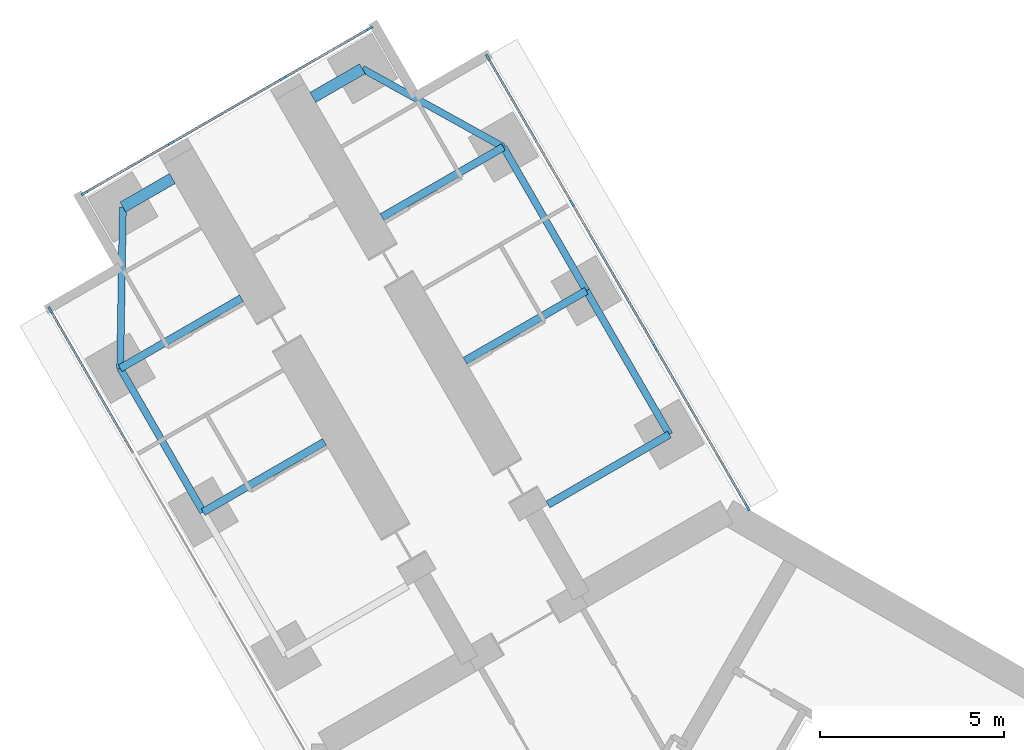
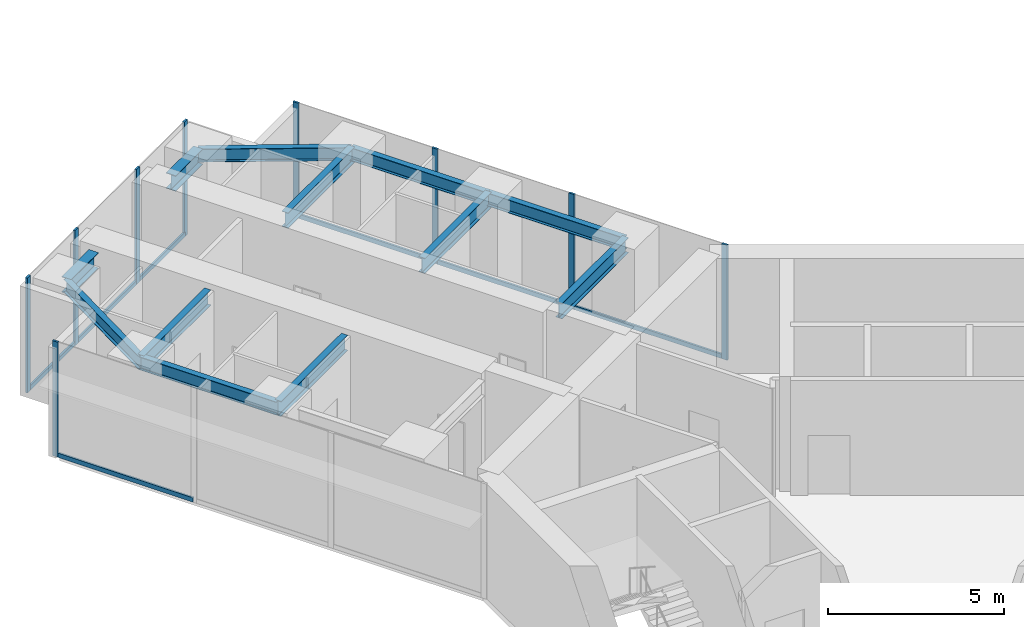
# One storey, part 7 of 25: 16 members, 12 beams, 3 elements without a shape of their own.
"""IFC4 building model written with IfcOpenShell, lengths in metres."""

from ifc_helpers import new_model, si_unit, direction, frame, origin, origin_2d, place, context, subcontext, project, spatial, rectangle, i_section, extrude, material, material_profile, profile_set, type_object, element, aggregate, save


model = new_model("IFC4")

# Units and contexts
model_context = context("Model", 3, precision=1e-05, world=origin(), true_north=direction((0.0, 1.0)))
body_context = subcontext(model_context, "Body", "Model", "MODEL_VIEW")
ifc_project = project(units=[si_unit("LENGTHUNIT", "METRE"), si_unit("AREAUNIT", "SQUARE_METRE"), si_unit("VOLUMEUNIT", "CUBIC_METRE"), si_unit("PLANEANGLEUNIT", "RADIAN"), si_unit("MASSUNIT", "GRAM", prefix="KILO")], contexts=[model_context])

# Site, building, storey
site_placement = place(None, origin())
site = spatial("IfcSite", under=ifc_project, at=site_placement, CompositionType="ELEMENT")
building_placement = place(site_placement, origin())
building = spatial("IfcBuilding", under=site, at=building_placement, Name="Upepo Twin Towers", CompositionType="ELEMENT")
storey_placement = place(building_placement, frame((0.0, 0.0, 72.5)))
storey = spatial("IfcBuildingStorey", under=building, at=storey_placement, Name="L17", CompositionType="ELEMENT", Elevation=72.5)

# Beams
ifc_material_1 = material(Name="Steel S355", Category="steel")
ifc_material_profile_1 = material_profile(ifc_material_1, i_section(OverallWidth=0.1904296875, OverallDepth=0.45703125, WebThickness=0.009033203125, FlangeThickness=0.014404296875, FilletRadius=0.01025390625, at=origin_2d()), Name="UB 457x191x74")
ifc_profile_set_1 = profile_set([ifc_material_profile_1], Name="Steel S355")
beam_type_1 = type_object("IfcBeamType", Name="Beam UB 457x191x74", PredefinedType="BEAM", material=ifc_profile_set_1)
beam_1_placement = place(storey_placement, frame((-14.196044921875, 12.58837890625, 3.571533203125), z_axis=(-0.499990139034, 0.866031096941, 0.0), x_axis=(-0.866031096941, -0.499990139034, 0.0)))
element("IfcBeam", 1, at=beam_1_placement, inside=storey, type_object=beam_type_1, Name="T1 edge beam BL 18.0-22.5", PredefinedType="BEAM", context=body_context, shape_type="SweptSolid", body=[
    extrude(i_section(OverallWidth=0.1904296875, OverallDepth=0.45703125, WebThickness=0.009033203125, FlangeThickness=0.014404296875, FilletRadius=0.01025390625, at=origin_2d()), origin(), (0.0, 0.0, 1.0), 4.5),
])
beam_2_placement = place(storey_placement, frame((-16.446044921875, 16.485595703125, 3.571533203125), z_axis=(0.016803880528, 0.999858804832, 0.0), x_axis=(-0.999858804832, 0.016803880528, 0.0)))
element("IfcBeam", 2, at=beam_2_placement, inside=storey, type_object=beam_type_1, Name="T1 nose edge beam BL", PredefinedType="BEAM", context=body_context, shape_type="SweptSolid", body=[
    extrude(i_section(OverallWidth=0.1904296875, OverallDepth=0.45703125, WebThickness=0.009033203125, FlangeThickness=0.014404296875, FilletRadius=0.01025390625, at=origin_2d()), origin(), (0.0, 0.0, 1.0), 4.373291015625),
])
beam_3_placement = place(storey_placement, frame((-1.553955078125, 14.69140625, 3.571533203125), z_axis=(-0.500013631625, 0.866017533419, 0.0), x_axis=(-0.866017533419, -0.500013631625, 0.0)))
element("IfcBeam", 3, at=beam_3_placement, inside=storey, type_object=beam_type_1, Name="T1 edge beam BR 13.5-18.0", PredefinedType="BEAM", context=body_context, shape_type="SweptSolid", body=[
    extrude(i_section(OverallWidth=0.1904296875, OverallDepth=0.45703125, WebThickness=0.009033203125, FlangeThickness=0.014404296875, FilletRadius=0.01025390625, at=origin_2d()), origin(), (0.0, 0.0, 1.0), 4.499755859375),
])
beam_4_placement = place(storey_placement, frame((-3.803955078125, 18.58837890625, 3.571533203125), z_axis=(-0.499990139034, 0.866031096941, 0.0), x_axis=(-0.866031096941, -0.499990139034, 0.0)))
element("IfcBeam", 4, at=beam_4_placement, inside=storey, type_object=beam_type_1, Name="T1 edge beam BR 18.0-22.5", PredefinedType="BEAM", context=body_context, shape_type="SweptSolid", body=[
    extrude(i_section(OverallWidth=0.1904296875, OverallDepth=0.45703125, WebThickness=0.009033203125, FlangeThickness=0.014404296875, FilletRadius=0.01025390625, at=origin_2d()), origin(), (0.0, 0.0, 1.0), 4.5),
])
beam_5_placement = place(storey_placement, frame((-6.053955078125, 22.485595703125, 3.571533203125), z_axis=(-0.874312600038, 0.485363242752, 0.0), x_axis=(-0.485363242752, -0.874312600038, 0.0)))
element("IfcBeam", 5, at=beam_5_placement, inside=storey, type_object=beam_type_1, Name="T1 nose edge beam BR", PredefinedType="BEAM", context=body_context, shape_type="SweptSolid", body=[
    extrude(i_section(OverallWidth=0.1904296875, OverallDepth=0.45703125, WebThickness=0.009033203125, FlangeThickness=0.014404296875, FilletRadius=0.01025390625, at=origin_2d()), origin(), (0.0, 0.0, 1.0), 4.373046875),
])
ifc_material_2 = material(Name="Steel S355", Category="steel")
ifc_material_profile_2 = material_profile(ifc_material_2, i_section(OverallWidth=0.209228515625, OverallDepth=0.533203125, WebThickness=0.010009765625, FlangeThickness=0.015625, FilletRadius=0.0126953125, at=origin_2d()), Name="UB 533x210x92")
ifc_profile_set_2 = profile_set([ifc_material_profile_2], Name="Steel S355")
beam_type_2 = type_object("IfcBeamType", Name="Beam UB 533x210x92", PredefinedType="BEAM", material=ifc_profile_set_2)
beam_6_placement = place(storey_placement, frame((-14.196044921875, 12.58837890625, 3.533447265625), z_axis=(0.866000483506, 0.500043160704, 0.0), x_axis=(-0.500043160704, 0.866000483506, 0.0)))
element("IfcBeam", 6, at=beam_6_placement, inside=storey, type_object=beam_type_2, Name="T1 girder BL at 18.0", PredefinedType="BEAM", context=body_context, shape_type="SweptSolid", body=[
    extrude(i_section(OverallWidth=0.209228515625, OverallDepth=0.533203125, WebThickness=0.010009765625, FlangeThickness=0.015625, FilletRadius=0.0126953125, at=origin_2d()), origin(), (0.0, 0.0, 1.0), 3.800048828125),
])
beam_7_placement = place(storey_placement, frame((-16.446044921875, 16.485595703125, 3.533447265625), z_axis=(0.866028304915, 0.499994975061, 0.0), x_axis=(-0.499994975061, 0.866028304915, 0.0)))
element("IfcBeam", 7, at=beam_7_placement, inside=storey, type_object=beam_type_2, Name="T1 girder BL at 22.5", PredefinedType="BEAM", context=body_context, shape_type="SweptSolid", body=[
    extrude(i_section(OverallWidth=0.209228515625, OverallDepth=0.533203125, WebThickness=0.010009765625, FlangeThickness=0.015625, FilletRadius=0.0126953125, at=origin_2d()), origin(), (0.0, 0.0, 1.0), 3.7998046875),
])
beam_8_placement = place(storey_placement, frame((-1.553955078125, 14.69140625, 3.533447265625), z_axis=(-0.866000483506, -0.500043160704, 0.0), x_axis=(0.500043160704, -0.866000483506, 0.0)))
element("IfcBeam", 8, at=beam_8_placement, inside=storey, type_object=beam_type_2, Name="T1 girder BR at 13.5", PredefinedType="BEAM", context=body_context, shape_type="SweptSolid", body=[
    extrude(i_section(OverallWidth=0.209228515625, OverallDepth=0.533203125, WebThickness=0.010009765625, FlangeThickness=0.015625, FilletRadius=0.0126953125, at=origin_2d()), origin(), (0.0, 0.0, 1.0), 3.800048828125),
])
for number, where, z_axis, x_axis, name in (
    (9, (-3.803955078125, 18.58837890625, 3.533447265625), (-0.866028304915, -0.499994975061, 0.0), (0.499994975061, -0.866028304915, 0.0), "T1 girder BR at 18.0"),
    (10, (-6.053955078125, 22.485595703125, 3.533447265625), (-0.866028304915, -0.499994975061, 0.0), (0.499994975061, -0.866028304915, 0.0), "T1 girder BR at 22.5"),
):
    element("IfcBeam", number, at=place(storey_placement, frame(where, z_axis=z_axis, x_axis=x_axis)), inside=storey, type_object=beam_type_2, Name=name, PredefinedType="BEAM", context=body_context, shape_type="SweptSolid", body=[
        extrude(i_section(OverallWidth=0.209228515625, OverallDepth=0.533203125, WebThickness=0.010009765625, FlangeThickness=0.015625, FilletRadius=0.0126953125, at=origin_2d()), origin(), (0.0, 0.0, 1.0), 3.7998046875),
    ])
ifc_material_3 = material(Name="Steel S355", Category="steel")
ifc_material_profile_3 = material_profile(ifc_material_3, i_section(OverallWidth=0.31201171875, OverallDepth=0.54345703125, WebThickness=0.0126953125, FlangeThickness=0.020263671875, FilletRadius=0.0126953125, at=origin_2d()), Name="UB 533x312x150")
ifc_profile_set_3 = profile_set([ifc_material_profile_3], Name="Steel S355")
beam_type_3 = type_object("IfcBeamType", Name="Beam UB 533x312x150", PredefinedType="BEAM", material=ifc_profile_set_3)
for number, where, z_axis, x_axis, name in (
    (11, (-16.37255859375, 20.858154296875, 3.5283203125), (0.866043940782, 0.499967891604, 0.0), (-0.499967891604, 0.866043940782, 0.0), "T1 nose beam BL"),
    (12, (-9.87744140625, 24.608154296875, 3.5283203125), (-0.866043940782, -0.499967891604, 0.0), (0.499967891604, -0.866043940782, 0.0), "T1 nose beam BR"),
):
    element("IfcBeam", number, at=place(storey_placement, frame(where, z_axis=z_axis, x_axis=x_axis)), inside=storey, type_object=beam_type_3, Name=name, PredefinedType="BEAM", context=body_context, shape_type="SweptSolid", body=[
        extrude(i_section(OverallWidth=0.31201171875, OverallDepth=0.54345703125, WebThickness=0.0126953125, FlangeThickness=0.020263671875, FilletRadius=0.0126953125, at=origin_2d()), origin(), (0.0, 0.0, 1.0), 1.5498046875),
    ])

# Curtain wall, member
ifc_material_4 = material(Name="Aluminium and fritted glass", Category="aluminium")
curtain_wall_type = type_object("IfcCurtainWallType", Name="Tower curtain wall TW1, fritted glass", PredefinedType="NOTDEFINED", material=ifc_material_4)
curtain_wall_1_placement = place(storey_placement, origin())
curtain_wall_1 = element("IfcCurtainWall", 13, at=curtain_wall_1_placement, inside=storey, type_object=curtain_wall_type, Name="T1 L17 wing B flank L curtain wall", PredefinedType="NOTDEFINED")
ifc_material_5 = material(Name="Aluminium mullion", Category="aluminium")
ifc_material_profile_4 = material_profile(ifc_material_5, rectangle(XDim=0.06494140625, YDim=0.179931640625, at=origin_2d()), Name="MULLION 65x180")
ifc_profile_set_4 = profile_set([ifc_material_profile_4], Name="Aluminium mullion")
member_type_1 = type_object("IfcMemberType", Name="Mullion 65x180 TW1", PredefinedType="MULLION", material=ifc_profile_set_4)
member_1_placement = place(storey_placement, frame((-18.341064453125, 18.067626953125, 0.0), z_axis=(0.0, 0.0, 1.0), x_axis=(-0.866025389682, -0.500000024426, 0.0)))
member_1 = element("IfcMember", 14, at=member_1_placement, type_object=member_type_1, Name="T1 L17 wing B flank L curtain wall mullion 4", PredefinedType="MULLION", context=body_context, shape_type="SweptSolid", body=[
    extrude(rectangle(XDim=0.06494140625, YDim=0.179931640625, at=origin_2d()), origin(), (0.0, 0.0, 1.0), 4.0),
])

# Curtain wall, members
curtain_wall_2_placement = place(storey_placement, origin())
curtain_wall_2 = element("IfcCurtainWall", 15, at=curtain_wall_2_placement, inside=storey, type_object=curtain_wall_type, Name="T1 L17 wing B flank R curtain wall", PredefinedType="NOTDEFINED")
member_2_placement = place(storey_placement, frame((-6.4765625, 24.91748046875, 0.0), z_axis=(0.0, 0.0, 1.0), x_axis=(0.866025389682, 0.500000024426, 0.0)))
member_2 = element("IfcMember", 16, at=member_2_placement, type_object=member_type_1, Name="T1 L17 wing B flank R curtain wall mullion 1", PredefinedType="MULLION", context=body_context, shape_type="SweptSolid", body=[
    extrude(rectangle(XDim=0.06494140625, YDim=0.179931640625, at=origin_2d()), origin(), (0.0, 0.0, 1.0), 4.0),
])
member_3_placement = place(storey_placement, frame((-4.192626953125, 20.9619140625, 0.0), z_axis=(0.0, 0.0, 1.0), x_axis=(0.866025389682, 0.500000024426, 0.0)))
member_3 = element("IfcMember", 17, at=member_3_placement, type_object=member_type_1, Name="T1 L17 wing B flank R curtain wall mullion 2", PredefinedType="MULLION", context=body_context, shape_type="SweptSolid", body=[
    extrude(rectangle(XDim=0.06494140625, YDim=0.179931640625, at=origin_2d()), origin(), (0.0, 0.0, 1.0), 4.0),
])
member_4_placement = place(storey_placement, frame((-1.942626953125, 17.06494140625, 0.0), z_axis=(0.0, 0.0, 1.0), x_axis=(0.866025389682, 0.500000024426, 0.0)))
member_4 = element("IfcMember", 18, at=member_4_placement, type_object=member_type_1, Name="T1 L17 wing B flank R curtain wall mullion 3", PredefinedType="MULLION", context=body_context, shape_type="SweptSolid", body=[
    extrude(rectangle(XDim=0.06494140625, YDim=0.179931640625, at=origin_2d()), origin(), (0.0, 0.0, 1.0), 4.0),
])
member_5_placement = place(storey_placement, frame((0.572509765625, 12.70849609375, 0.0), z_axis=(0.0, 0.0, 1.0), x_axis=(0.866025389682, 0.500000024426, 0.0)))
member_5 = element("IfcMember", 19, at=member_5_placement, type_object=member_type_1, Name="T1 L17 wing B flank R curtain wall mullion 4", PredefinedType="MULLION", context=body_context, shape_type="SweptSolid", body=[
    extrude(rectangle(XDim=0.06494140625, YDim=0.179931640625, at=origin_2d()), origin(), (0.0, 0.0, 1.0), 4.0),
])

curtain_wall_3_placement = place(storey_placement, origin())
curtain_wall_3 = element("IfcCurtainWall", 20, at=curtain_wall_3_placement, inside=storey, type_object=curtain_wall_type, Name="T1 L17 wing B nose curtain wall", PredefinedType="NOTDEFINED")
member_6_placement = place(storey_placement, frame((-9.68115234375, 25.703125, 0.0), z_axis=(0.0, 0.0, 1.0), x_axis=(0.500000030502, -0.866025386174, 0.0)))
member_6 = element("IfcMember", 21, at=member_6_placement, type_object=member_type_1, Name="T1 L17 wing B nose curtain wall mullion 1", PredefinedType="MULLION", context=body_context, shape_type="SweptSolid", body=[
    extrude(rectangle(XDim=0.06494140625, YDim=0.179931640625, at=origin_2d()), origin(), (0.0, 0.0, 1.0), 4.0),
])
member_7_placement = place(storey_placement, frame((-12.034423828125, 24.34423828125, 0.0), z_axis=(0.0, 0.0, 1.0), x_axis=(0.500000030502, -0.866025386174, 0.0)))
member_7 = element("IfcMember", 22, at=member_7_placement, type_object=member_type_1, Name="T1 L17 wing B nose curtain wall mullion 2", PredefinedType="MULLION", context=body_context, shape_type="SweptSolid", body=[
    extrude(rectangle(XDim=0.06494140625, YDim=0.179931640625, at=origin_2d()), origin(), (0.0, 0.0, 1.0), 4.0),
])
member_8_placement = place(storey_placement, frame((-15.0654296875, 22.59423828125, 0.0), z_axis=(0.0, 0.0, 1.0), x_axis=(0.500000030502, -0.866025386174, 0.0)))
member_8 = element("IfcMember", 23, at=member_8_placement, type_object=member_type_1, Name="T1 L17 wing B nose curtain wall mullion 3", PredefinedType="MULLION", context=body_context, shape_type="SweptSolid", body=[
    extrude(rectangle(XDim=0.06494140625, YDim=0.179931640625, at=origin_2d()), origin(), (0.0, 0.0, 1.0), 4.0),
])
member_9_placement = place(storey_placement, frame((-17.4189453125, 21.235595703125, 0.0), z_axis=(0.0, 0.0, 1.0), x_axis=(0.500000030502, -0.866025386174, 0.0)))
member_9 = element("IfcMember", 24, at=member_9_placement, type_object=member_type_1, Name="T1 L17 wing B nose curtain wall mullion 4", PredefinedType="MULLION", context=body_context, shape_type="SweptSolid", body=[
    extrude(rectangle(XDim=0.06494140625, YDim=0.179931640625, at=origin_2d()), origin(), (0.0, 0.0, 1.0), 4.0),
])

# Member
ifc_material_6 = material(Name="Aluminium transom", Category="aluminium")
ifc_material_profile_5 = material_profile(ifc_material_6, rectangle(XDim=0.06494140625, YDim=0.14990234375, at=origin_2d()), Name="TRANSOM 65x150")
ifc_profile_set_5 = profile_set([ifc_material_profile_5], Name="Aluminium transom")
member_type_2 = type_object("IfcMemberType", Name="Transom 65x150 TW1", PredefinedType="USERDEFINED", material=ifc_profile_set_5)
member_10_placement = place(storey_placement, frame((-16.073486328125, 14.14013671875, 0.074951171875), z_axis=(-0.499982167615, 0.866035699072, 0.0), x_axis=(-0.866035699072, -0.499982167615, 0.0)))
member_10 = element("IfcMember", 25, at=member_10_placement, type_object=member_type_2, Name="T1 L17 wing B flank L curtain wall transom 3", ObjectType="TRANSOM", PredefinedType="USERDEFINED", context=body_context, shape_type="SweptSolid", body=[
    extrude(rectangle(XDim=0.06494140625, YDim=0.14990234375, at=origin_2d()), origin(), (0.0, 0.0, 1.0), 4.502685546875),
])

aggregate(curtain_wall_1, [member_1, member_10])

member_11_placement = place(storey_placement, frame((-6.460205078125, 24.889404296875, 0.074951171875), z_axis=(0.500005646842, -0.866022143554, 0.0), x_axis=(0.866022143554, 0.500005646842, 0.0)))
member_11 = element("IfcMember", 26, at=member_11_placement, type_object=member_type_2, Name="T1 L17 wing B flank R curtain wall transom 1", ObjectType="TRANSOM", PredefinedType="USERDEFINED", context=body_context, shape_type="SweptSolid", body=[
    extrude(rectangle(XDim=0.06494140625, YDim=0.14990234375, at=origin_2d()), origin(), (0.0, 0.0, 1.0), 4.50244140625),
])

member_12_placement = place(storey_placement, frame((-4.176513671875, 20.933837890625, 0.074951171875), z_axis=(0.500005184116, -0.866022410713, 0.0), x_axis=(0.866022410713, 0.500005184116, 0.0)))
member_12 = element("IfcMember", 27, at=member_12_placement, type_object=member_type_2, Name="T1 L17 wing B flank R curtain wall transom 2", ObjectType="TRANSOM", PredefinedType="USERDEFINED", context=body_context, shape_type="SweptSolid", body=[
    extrude(rectangle(XDim=0.06494140625, YDim=0.14990234375, at=origin_2d()), origin(), (0.0, 0.0, 1.0), 4.43505859375),
])

member_13_placement = place(storey_placement, frame((-1.926513671875, 17.036865234375, 0.074951171875), z_axis=(0.499983492876, -0.866034933967, 0.0), x_axis=(0.866034933967, 0.499983492876, 0.0)))
member_13 = element("IfcMember", 28, at=member_13_placement, type_object=member_type_2, Name="T1 L17 wing B flank R curtain wall transom 3", ObjectType="TRANSOM", PredefinedType="USERDEFINED", context=body_context, shape_type="SweptSolid", body=[
    extrude(rectangle(XDim=0.06494140625, YDim=0.14990234375, at=origin_2d()), origin(), (0.0, 0.0, 1.0), 4.965576171875),
])

aggregate(curtain_wall_2, [member_2, member_3, member_4, member_5, member_11, member_12, member_13])

member_14_placement = place(storey_placement, frame((-9.709228515625, 25.686767578125, 0.074951171875), z_axis=(-0.866036909293, -0.499980071345, 0.0), x_axis=(0.499980071345, -0.866036909293, 0.0)))
member_14 = element("IfcMember", 29, at=member_14_placement, type_object=member_type_2, Name="T1 L17 wing B nose curtain wall transom 1", ObjectType="TRANSOM", PredefinedType="USERDEFINED", context=body_context, shape_type="SweptSolid", body=[
    extrude(rectangle(XDim=0.06494140625, YDim=0.14990234375, at=origin_2d()), origin(), (0.0, 0.0, 1.0), 2.65234375),
])

member_15_placement = place(storey_placement, frame((-12.0625, 24.328125, 0.074951171875), z_axis=(-0.866025804792, -0.499999305434, 0.0), x_axis=(0.499999305434, -0.866025804792, 0.0)))
member_15 = element("IfcMember", 30, at=member_15_placement, type_object=member_type_2, Name="T1 L17 wing B nose curtain wall transom 2", ObjectType="TRANSOM", PredefinedType="USERDEFINED", context=body_context, shape_type="SweptSolid", body=[
    extrude(rectangle(XDim=0.06494140625, YDim=0.14990234375, at=origin_2d()), origin(), (0.0, 0.0, 1.0), 3.43505859375),
])

member_16_placement = place(storey_placement, frame((-15.09375, 22.578125, 0.074951171875), z_axis=(-0.865997053448, -0.500049101008, 0.0), x_axis=(0.500049101008, -0.865997053448, 0.0)))
member_16 = element("IfcMember", 31, at=member_16_placement, type_object=member_type_2, Name="T1 L17 wing B nose curtain wall transom 3", ObjectType="TRANSOM", PredefinedType="USERDEFINED", context=body_context, shape_type="SweptSolid", body=[
    extrude(rectangle(XDim=0.06494140625, YDim=0.14990234375, at=origin_2d()), origin(), (0.0, 0.0, 1.0), 2.652587890625),
])

aggregate(curtain_wall_3, [member_6, member_7, member_8, member_9, member_14, member_15, member_16])

save(model, "model.ifc")
